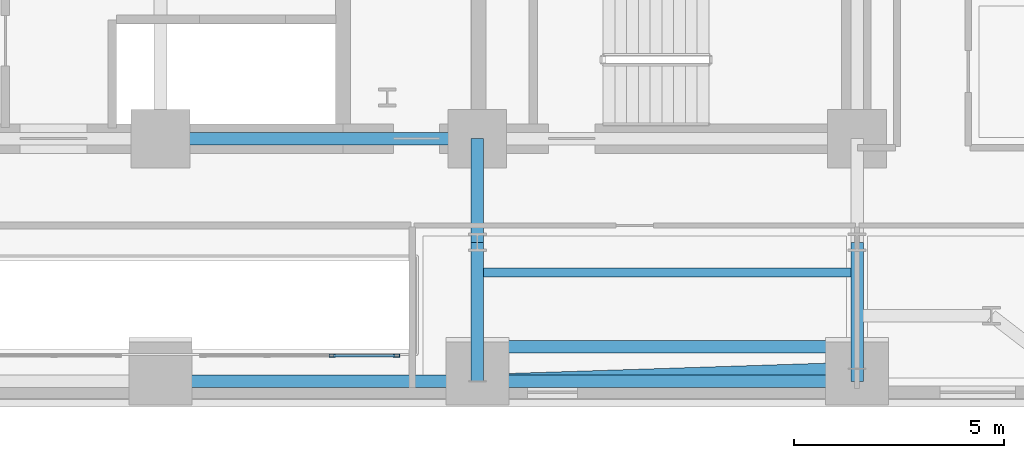
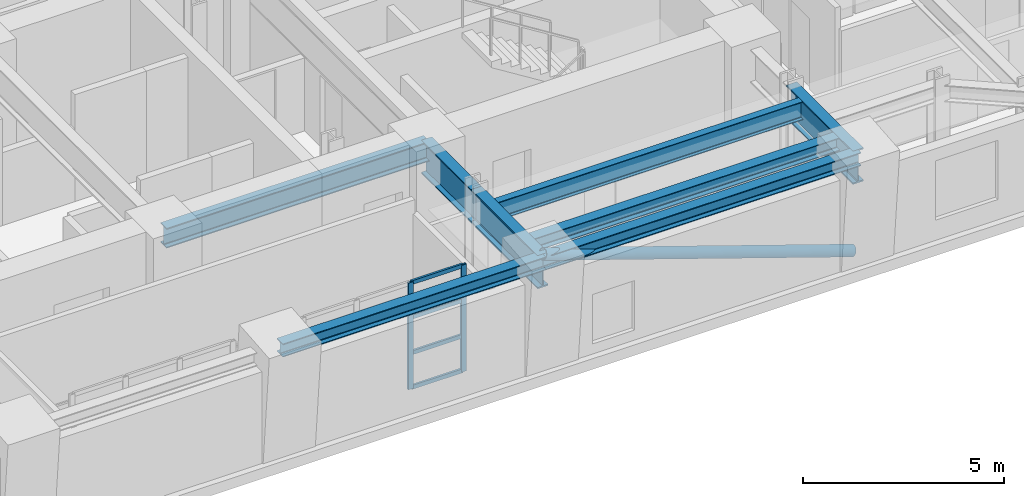
# One storey, part 4 of 15: 8 beams, 7 members, 1 element without a shape of its own.
"""IFC4 building model written with IfcOpenShell, lengths in metres."""

from ifc_helpers import new_model, si_unit, direction, frame, origin, origin_2d, place, context, subcontext, project, spatial, hollow_rectangle, hollow_circle, i_section, extrude, material, layer, layer_set, material_profile, profile_set, type_object, element, aggregate, save


model = new_model("IFC4")

# Units and contexts
model_context = context("Model", 3, precision=1e-05, world=origin(), true_north=direction((0.0, 1.0)))
body_context = subcontext(model_context, "Body", "Model", "MODEL_VIEW")
ifc_project = project(units=[si_unit("LENGTHUNIT", "METRE"), si_unit("AREAUNIT", "SQUARE_METRE"), si_unit("VOLUMEUNIT", "CUBIC_METRE"), si_unit("PLANEANGLEUNIT", "RADIAN"), si_unit("MASSUNIT", "GRAM", prefix="KILO")], contexts=[model_context])

# Site, building, storey
site_placement = place(None, origin())
site = spatial("IfcSite", under=ifc_project, at=site_placement, CompositionType="ELEMENT")
building_placement = place(site_placement, origin())
building = spatial("IfcBuilding", under=site, at=building_placement, Name="Zarnavel Station Tower", CompositionType="ELEMENT")
storey_placement = place(building_placement, frame((0.0, 0.0, 43.0)))
storey = spatial("IfcBuildingStorey", under=building, at=storey_placement, Name="L11", CompositionType="ELEMENT", Elevation=43.0)

# Curtain wall, members
ifc_material_1 = material(Name="Aluminium Dark Anodised and Solar-Control Glass", Category="aluminium")
ifc_layer = layer(ifc_material_1, 0.179931640625)
ifc_layer_set = layer_set([ifc_layer], Name="CWS2")
curtain_wall_type = type_object("IfcCurtainWallType", Name="CWS2", PredefinedType="NOTDEFINED", material=ifc_layer_set)
curtain_wall_placement = place(storey_placement, origin())
curtain_wall = element("IfcCurtainWall", 1, at=curtain_wall_placement, inside=storey, type_object=curtain_wall_type, Name="L11 Curtain Wall CWS2-L11-AS-S2", PredefinedType="NOTDEFINED")
ifc_material_2 = material(Name="Steel S355J2 (Black Fluoropolymer Coated)", Category="steel")
ifc_material_profile_1 = material_profile(ifc_material_2, hollow_rectangle(XDim=0.074951171875, YDim=0.14990234375, WallThickness=0.00634765625, at=origin_2d()), Name="RHS150x75x6.3")
ifc_profile_set_1 = profile_set([ifc_material_profile_1], Name="Steel S355J2 (Black Fluoropolymer Coated)")
member_type_1 = type_object("IfcMemberType", Name="CWS2_MUL", PredefinedType="MULLION", material=ifc_profile_set_1)
member_1_placement = place(storey_placement, frame((32.893310546875, 22.64990234375, 0.0), z_axis=(0.0, 0.0, 1.0), x_axis=(0.0, 1.0, 0.0)))
member_1 = element("IfcMember", 2, at=member_1_placement, type_object=member_type_1, Name="CW2 mullion 3", PredefinedType="MULLION", context=body_context, shape_type="SweptSolid", body=[
    extrude(hollow_rectangle(XDim=0.074951171875, YDim=0.14990234375, WallThickness=0.00634765625, at=origin_2d()), origin(), (0.0, 0.0, 1.0), 3.239990234375),
])
member_2_placement = place(storey_placement, frame((34.419921875, 22.64990234375, 0.0), z_axis=(0.0, 0.0, 1.0), x_axis=(0.0, 1.0, 0.0)))
member_2 = element("IfcMember", 3, at=member_2_placement, type_object=member_type_1, Name="CW2 mullion 4", PredefinedType="MULLION", context=body_context, shape_type="SweptSolid", body=[
    extrude(hollow_rectangle(XDim=0.074951171875, YDim=0.14990234375, WallThickness=0.00634765625, at=origin_2d()), origin(), (0.0, 0.0, 1.0), 3.239990234375),
])
ifc_material_3 = material(Name="Steel S355J2 (Black Fluoropolymer Coated)", Category="steel")
ifc_material_profile_2 = material_profile(ifc_material_3, hollow_rectangle(XDim=0.06005859375, YDim=0.1201171875, WallThickness=0.0048828125, at=origin_2d()), Name="RHS120x60x5")
ifc_profile_set_2 = profile_set([ifc_material_profile_2], Name="Steel S355J2 (Black Fluoropolymer Coated)")
member_type_2 = type_object("IfcMemberType", Name="CWS2_TRN", PredefinedType="USERDEFINED", material=ifc_profile_set_2)
member_3_placement = place(storey_placement, frame((32.92333984375, 22.64990234375, 0.030029296875), z_axis=(1.0, 0.0, 0.0), x_axis=(0.0, 1.0, 0.0)))
member_3 = element("IfcMember", 4, at=member_3_placement, type_object=member_type_2, Name="CW2 transom 3.1", ObjectType="TRANSOM", PredefinedType="USERDEFINED", context=body_context, shape_type="SweptSolid", body=[
    extrude(hollow_rectangle(XDim=0.06005859375, YDim=0.1201171875, WallThickness=0.0048828125, at=origin_2d()), origin(), (0.0, 0.0, 1.0), 1.466552734375),
])
member_4_placement = place(storey_placement, frame((32.92333984375, 22.64990234375, 1.080078125), z_axis=(1.0, 0.0, 0.0), x_axis=(0.0, 1.0, 0.0)))
member_4 = element("IfcMember", 5, at=member_4_placement, type_object=member_type_2, Name="CW2 transom 3.2", ObjectType="TRANSOM", PredefinedType="USERDEFINED", context=body_context, shape_type="SweptSolid", body=[
    extrude(hollow_rectangle(XDim=0.06005859375, YDim=0.1201171875, WallThickness=0.0048828125, at=origin_2d()), origin(), (0.0, 0.0, 1.0), 1.466552734375),
])
member_5_placement = place(storey_placement, frame((32.92333984375, 22.64990234375, 2.159912109375), z_axis=(1.0, 0.0, 0.0), x_axis=(0.0, 1.0, 0.0)))
member_5 = element("IfcMember", 6, at=member_5_placement, type_object=member_type_2, Name="CW2 transom 3.3", ObjectType="TRANSOM", PredefinedType="USERDEFINED", context=body_context, shape_type="SweptSolid", body=[
    extrude(hollow_rectangle(XDim=0.06005859375, YDim=0.1201171875, WallThickness=0.0048828125, at=origin_2d()), origin(), (0.0, 0.0, 1.0), 1.466552734375),
])
member_6_placement = place(storey_placement, frame((32.92333984375, 22.64990234375, 3.2099609375), z_axis=(1.0, 0.0, 0.0), x_axis=(0.0, 1.0, 0.0)))
member_6 = element("IfcMember", 7, at=member_6_placement, type_object=member_type_2, Name="CW2 transom 3.4", ObjectType="TRANSOM", PredefinedType="USERDEFINED", context=body_context, shape_type="SweptSolid", body=[
    extrude(hollow_rectangle(XDim=0.06005859375, YDim=0.1201171875, WallThickness=0.0048828125, at=origin_2d()), origin(), (0.0, 0.0, 1.0), 1.466552734375),
])
aggregate(curtain_wall, [member_1, member_2, member_3, member_4, member_5, member_6])

# Member
ifc_material_4 = material(Name="Steel S355J2", Category="steel")
ifc_material_profile_3 = material_profile(ifc_material_4, hollow_circle(Radius=0.161865234375, WallThickness=0.012451171875, at=origin_2d()), Name="CHS323.9x12.5")
ifc_profile_set_3 = profile_set([ifc_material_profile_3], Name="Steel S355J2")
member_type_3 = type_object("IfcMemberType", Name="DB_EXT_CHS324", PredefinedType="BRACE", material=ifc_profile_set_3)
member_7_placement = place(storey_placement, frame((45.39990234375, 22.331298828125, 0.0), z_axis=(-0.94104157458, -0.030540439576, 0.336909537505), x_axis=(0.032436790978, -0.999473788846, 0.0)))
element("IfcMember", 8, at=member_7_placement, inside=storey, type_object=member_type_3, Name="L11 Persian Exterior Diagonal Frame Brace 2", PredefinedType="BRACE", context=body_context, shape_type="SweptSolid", body=[
    extrude(hollow_circle(Radius=0.161865234375, WallThickness=0.012451171875, at=origin_2d()), origin(), (0.0, 0.0, 1.0), 9.61669921875),
])

# Beams
ifc_material_5 = material(Name="Steel S355J2", Category="steel")
ifc_material_profile_4 = material_profile(ifc_material_5, i_section(OverallWidth=0.300048828125, OverallDepth=0.39990234375, WebThickness=0.013427734375, FlangeThickness=0.02392578125, FilletRadius=0.027099609375, at=origin_2d()), Name="HEB400")
ifc_profile_set_4 = profile_set([ifc_material_profile_4], Name="Steel S355J2")
beam_type_1 = type_object("IfcBeamType", Name="EB_HEB400", PredefinedType="SPANDREL", material=ifc_profile_set_4)
beam_1_placement = place(storey_placement, frame((28.800048828125, 22.03759765625, 3.0400390625), z_axis=(1.0, 0.0, 0.0), x_axis=(0.0, 1.0, 0.0)))
element("IfcBeam", 9, at=beam_1_placement, inside=storey, type_object=beam_type_1, Name="L11 South Raked Spandrel 3", PredefinedType="SPANDREL", context=body_context, shape_type="SweptSolid", body=[
    extrude(i_section(OverallWidth=0.300048828125, OverallDepth=0.39990234375, WebThickness=0.013427734375, FlangeThickness=0.02392578125, FilletRadius=0.027099609375, at=origin_2d()), origin(), (0.0, 0.0, 1.0), 7.550048828125),
])
beam_2_placement = place(storey_placement, frame((36.35009765625, 22.03759765625, 3.0400390625), z_axis=(1.0, 0.0, 0.0), x_axis=(0.0, 1.0, 0.0)))
element("IfcBeam", 10, at=beam_2_placement, inside=storey, type_object=beam_type_1, Name="L11 South Raked Spandrel 4", PredefinedType="SPANDREL", context=body_context, shape_type="SweptSolid", body=[
    extrude(i_section(OverallWidth=0.300048828125, OverallDepth=0.39990234375, WebThickness=0.013427734375, FlangeThickness=0.02392578125, FilletRadius=0.027099609375, at=origin_2d()), origin(), (0.0, 0.0, 1.0), 9.0498046875),
])
ifc_material_6 = material(Name="Steel S355J2", Category="steel")
ifc_material_profile_5 = material_profile(ifc_material_6, i_section(OverallWidth=0.300048828125, OverallDepth=0.389892578125, WebThickness=0.010986328125, FlangeThickness=0.01904296875, FilletRadius=0.027099609375, at=origin_2d()), Name="HEA400")
ifc_profile_set_5 = profile_set([ifc_material_profile_5], Name="Steel S355J2")
beam_type_2 = type_object("IfcBeamType", Name="FB_HEA400", PredefinedType="BEAM", material=ifc_profile_set_5)
beam_3_placement = place(storey_placement, frame((36.4951171875, 22.8583984375, 3.044921875), z_axis=(1.0, 0.0, 0.0), x_axis=(0.0, 1.0, 0.0)))
element("IfcBeam", 11, at=beam_3_placement, inside=storey, type_object=beam_type_2, Name="L11 East Bay Beam 1", PredefinedType="BEAM", context=body_context, shape_type="SweptSolid", body=[
    extrude(i_section(OverallWidth=0.300048828125, OverallDepth=0.389892578125, WebThickness=0.010986328125, FlangeThickness=0.01904296875, FilletRadius=0.027099609375, at=origin_2d()), origin(), (0.0, 0.0, 1.0), 8.759765625),
])
ifc_material_7 = material(Name="Steel S355J2", Category="steel")
ifc_material_profile_6 = material_profile(ifc_material_7, i_section(OverallWidth=0.2099609375, OverallDepth=0.550048828125, WebThickness=0.010986328125, FlangeThickness=0.01708984375, FilletRadius=0.02392578125, at=origin_2d()), Name="IPE550")
ifc_profile_set_6 = profile_set([ifc_material_profile_6], Name="Steel S355J2")
beam_type_3 = type_object("IfcBeamType", Name="FB_IPE550", PredefinedType="BEAM", material=ifc_profile_set_6)
beam_4_placement = place(storey_placement, frame((36.4951171875, 24.629150390625, 2.965087890625), z_axis=(1.0, 0.0, 0.0), x_axis=(0.0, 1.0, 0.0)))
element("IfcBeam", 12, at=beam_4_placement, inside=storey, type_object=beam_type_3, Name="L11 East Bay Beam 2", PredefinedType="BEAM", context=body_context, shape_type="SweptSolid", body=[
    extrude(i_section(OverallWidth=0.2099609375, OverallDepth=0.550048828125, WebThickness=0.010986328125, FlangeThickness=0.01708984375, FilletRadius=0.02392578125, at=origin_2d()), origin(), (0.0, 0.0, 1.0), 8.759765625),
])
ifc_material_8 = material(Name="Steel S355J2", Category="steel")
ifc_material_profile_7 = material_profile(ifc_material_8, i_section(OverallWidth=0.300048828125, OverallDepth=0.60009765625, WebThickness=0.015380859375, FlangeThickness=0.030029296875, FilletRadius=0.027099609375, at=origin_2d()), Name="HEB600")
ifc_profile_set_7 = profile_set([ifc_material_profile_7], Name="Steel S355J2")
beam_type_4 = type_object("IfcBeamType", Name="FG_HEB600", PredefinedType="USERDEFINED", material=ifc_profile_set_7)
beam_5_placement = place(storey_placement, frame((28.800048828125, 27.820068359375, 2.93994140625), z_axis=(1.0, 0.0, 0.0), x_axis=(0.0, 1.0, 0.0)))
element("IfcBeam", 13, at=beam_5_placement, inside=storey, type_object=beam_type_4, Name="L11 Core Front Coupling Beam 3", ObjectType="GIRDER", PredefinedType="USERDEFINED", context=body_context, shape_type="SweptSolid", body=[
    extrude(i_section(OverallWidth=0.300048828125, OverallDepth=0.60009765625, WebThickness=0.015380859375, FlangeThickness=0.030029296875, FilletRadius=0.027099609375, at=origin_2d()), origin(), (0.0, 0.0, 1.0), 7.550048828125),
])
ifc_material_9 = material(Name="Steel S460M", Category="steel")
ifc_material_profile_8 = material_profile(ifc_material_9, i_section(OverallWidth=0.302001953125, OverallDepth=1.008056640625, WebThickness=0.02099609375, FlangeThickness=0.0400390625, FilletRadius=0.030029296875, at=origin_2d()), Name="HEM1000")
ifc_profile_set_8 = profile_set([ifc_material_profile_8], Name="Steel S460M")
beam_type_5 = type_object("IfcBeamType", Name="TG_HEM1000", PredefinedType="USERDEFINED", material=ifc_profile_set_8)
beam_6_placement = place(storey_placement, frame((36.35009765625, 22.03759765625, 2.736083984375), z_axis=(0.0, 1.0, 0.0), x_axis=(-1.0, 0.0, 0.0)))
element("IfcBeam", 14, at=beam_6_placement, inside=storey, type_object=beam_type_5, Name="L11 South-Zone NS Girder 4", ObjectType="GIRDER", PredefinedType="USERDEFINED", context=body_context, shape_type="SweptSolid", body=[
    extrude(i_section(OverallWidth=0.302001953125, OverallDepth=1.008056640625, WebThickness=0.02099609375, FlangeThickness=0.0400390625, FilletRadius=0.030029296875, at=origin_2d()), origin(), (0.0, 0.0, 1.0), 3.3125),
])
beam_7_placement = place(storey_placement, frame((36.35009765625, 25.35009765625, 2.736083984375), z_axis=(0.0, 1.0, 0.0), x_axis=(-1.0, 0.0, 0.0)))
element("IfcBeam", 15, at=beam_7_placement, inside=storey, type_object=beam_type_5, Name="L11 Inner-Zone NS Girder 4", ObjectType="GIRDER", PredefinedType="USERDEFINED", context=body_context, shape_type="SweptSolid", body=[
    extrude(i_section(OverallWidth=0.302001953125, OverallDepth=1.008056640625, WebThickness=0.02099609375, FlangeThickness=0.0400390625, FilletRadius=0.030029296875, at=origin_2d()), origin(), (0.0, 0.0, 1.0), 2.469970703125),
])
beam_8_placement = place(storey_placement, frame((45.39990234375, 22.03759765625, 2.736083984375), z_axis=(0.0, 1.0, 0.0), x_axis=(-1.0, 0.0, 0.0)))
element("IfcBeam", 16, at=beam_8_placement, inside=storey, type_object=beam_type_5, Name="L11 South-Zone NS Girder 5", ObjectType="GIRDER", PredefinedType="USERDEFINED", context=body_context, shape_type="SweptSolid", body=[
    extrude(i_section(OverallWidth=0.302001953125, OverallDepth=1.008056640625, WebThickness=0.02099609375, FlangeThickness=0.0400390625, FilletRadius=0.030029296875, at=origin_2d()), origin(), (0.0, 0.0, 1.0), 3.3125),
])

save(model, "model.ifc")
